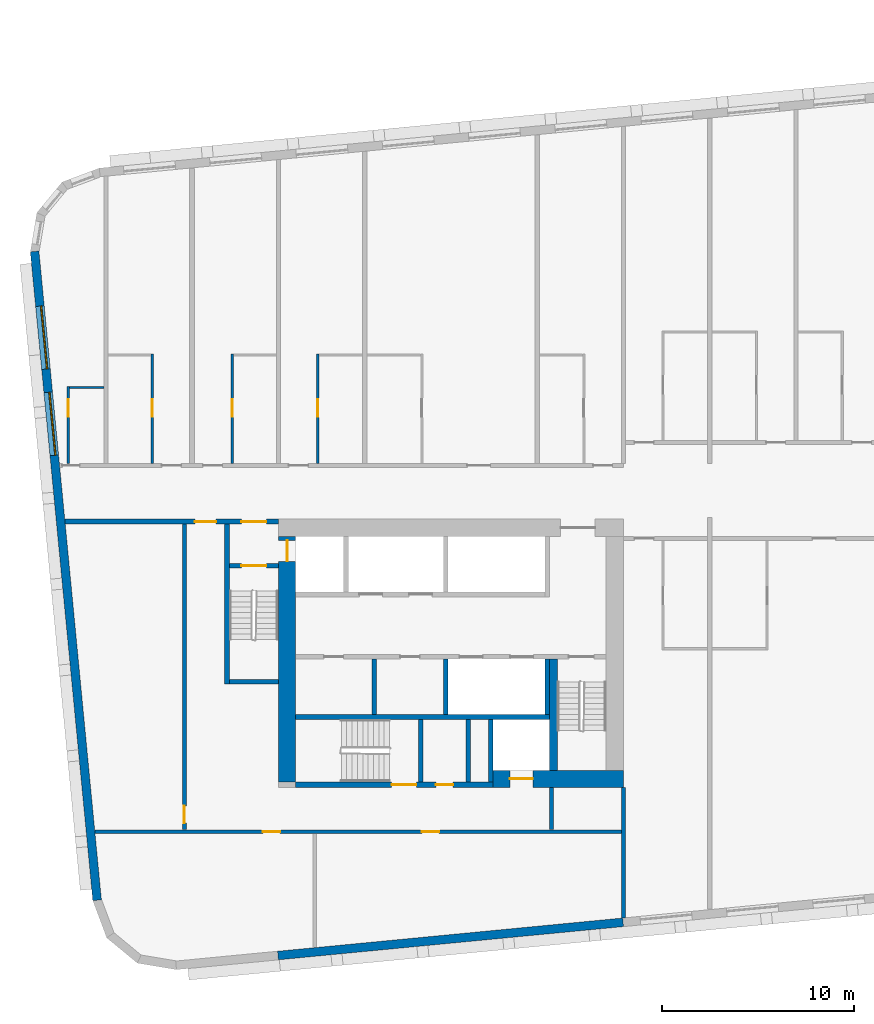
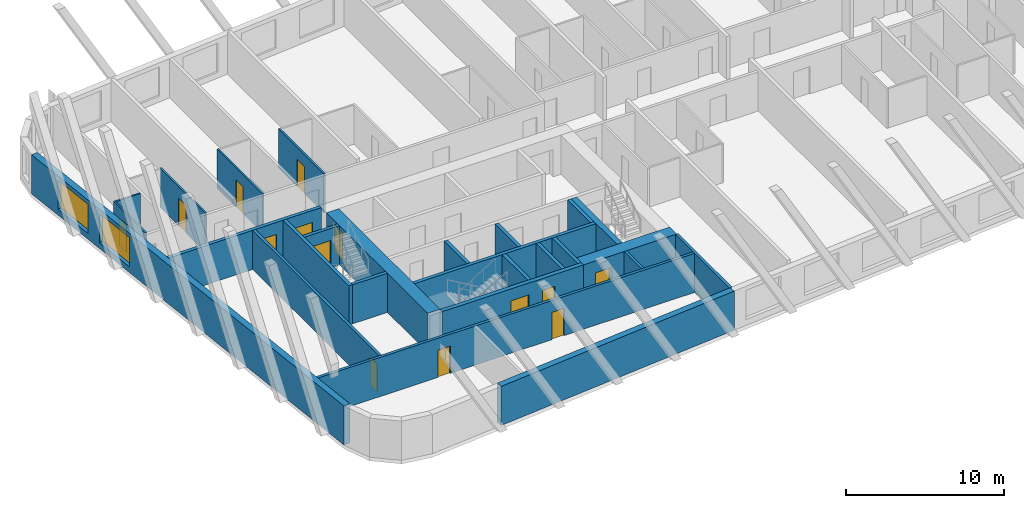
# One storey, part 2 of 13: 26 walls, 14 doors, 2 windows, 16 openings.
"""IFC4 building model written with IfcOpenShell, lengths in metres."""

import ifcopenshell
import ifcopenshell.guid

model = None  # the IFC model being written
_history = None  # IfcOwnerHistory: only IFC2X3 demands one
_inside = {}  # id of a spatial element -> (the spatial element, [elements in it])
_under = {}  # id of a project, library or spatial element -> (it, [spatial elements below it])
_declared = {}  # id of a project -> (the project, [libraries it declares])
_typed = {}  # id of a type object -> (the type object, [elements of that type])
_made_of = {}  # id of a material, layer set ... -> (it, [elements and type objects made of it])


def new_model(schema):
    """Start an empty IFC model of exactly this schema.

    Asked for "IFC4X3", IfcOpenShell would pick the latest addendum, in which some entities
    have other attributes; the version numbers below select the first issue.
    IFC2X3 requires an IfcOwnerHistory on every rooted entity: one is made here for all.
    """
    global model, _history
    if schema == "IFC4X3":
        model = ifcopenshell.file(schema_version=(4, 3, 0, 0))
    else:
        model = ifcopenshell.file(schema=schema)
    _inside.clear()
    _under.clear()
    _declared.clear()
    _typed.clear()
    _made_of.clear()
    _history = None
    if model.schema == "IFC2X3":
        org = make("IfcOrganization", Name="unknown")
        user = make(
            "IfcPersonAndOrganization",
            ThePerson=make("IfcPerson", FamilyName="unknown"),
            TheOrganization=org,
        )
        app = make(
            "IfcApplication",
            ApplicationDeveloper=org,
            Version="unknown",
            ApplicationFullName="unknown",
            ApplicationIdentifier="unknown",
        )
        _history = make(
            "IfcOwnerHistory",
            OwningUser=user,
            OwningApplication=app,
            ChangeAction="ADDED",
            CreationDate=0,
        )
    return model


def make(cls, **values):
    """One entity of the class cls with the attributes given. An attribute that is None is left unset."""
    return model.create_entity(
        cls, **{name: value for name, value in values.items() if value is not None}
    )


def rooted(cls, **values):
    """An entity with a GlobalId (a new one), such as an element, a storey or a relation."""
    return make(cls, GlobalId=ifcopenshell.guid.new(), OwnerHistory=_history, **values)


def si_unit(unit_type, name, prefix=None):
    """IfcSIUnit, for example si_unit("LENGTHUNIT", "METRE", prefix="MILLI")."""
    return make("IfcSIUnit", UnitType=unit_type, Prefix=prefix, Name=name)


def assignment(units):
    """IfcUnitAssignment: the units of a project."""
    return None if units is None else make("IfcUnitAssignment", Units=units)


def point(xyz):
    """IfcCartesianPoint."""
    return None if xyz is None else make("IfcCartesianPoint", Coordinates=xyz)


def direction(xyz):
    """IfcDirection."""
    return None if xyz is None else make("IfcDirection", DirectionRatios=xyz)


def frame(location, z_axis=None, x_axis=None):
    """IfcAxis2Placement3D, a coordinate frame: its origin and axes. An axis left out is left unset."""
    return make(
        "IfcAxis2Placement3D",
        Location=point(location),
        Axis=direction(z_axis),
        RefDirection=direction(x_axis),
    )


def frame_2d(location, x_axis=None):
    """IfcAxis2Placement2D, a coordinate frame in the plane: its origin and x axis."""
    return make(
        "IfcAxis2Placement2D", Location=point(location), RefDirection=direction(x_axis)
    )


def origin():
    """The frame at (0, 0, 0) with its axes left unset."""
    return frame((0.0, 0.0, 0.0))


def place(relative_to, where):
    """IfcLocalPlacement: puts the frame where relative to a parent placement (None: the world)."""
    return make(
        "IfcLocalPlacement", PlacementRelTo=relative_to, RelativePlacement=where
    )


def context(
    kind, dimensions, precision=None, world=None, true_north=None, identifier=None
):
    """IfcGeometricRepresentationContext, for example the 3D "Model" context."""
    return make(
        "IfcGeometricRepresentationContext",
        ContextIdentifier=identifier,
        ContextType=kind,
        CoordinateSpaceDimension=dimensions,
        Precision=precision,
        WorldCoordinateSystem=world,
        TrueNorth=true_north,
    )


def subcontext(parent, identifier, kind, view, scale=None):
    """IfcGeometricRepresentationSubContext, for example "Body" below "Model"."""
    return make(
        "IfcGeometricRepresentationSubContext",
        ContextIdentifier=identifier,
        ContextType=kind,
        ParentContext=parent,
        TargetScale=scale,
        TargetView=view,
    )


def project(units=None, contexts=None):
    """IfcProject with its units and contexts."""
    return rooted(
        "IfcProject",
        Name="project",
        RepresentationContexts=contexts,
        UnitsInContext=assignment(units),
    )


def spatial(cls, under=None, at=None, **own):
    """A site, building, storey or space (cls), placed at a placement, below another one or the project."""
    s = rooted(cls, ObjectPlacement=at, **own)
    if under is not None:
        _under.setdefault(under.id(), (under, []))[1].append(s)
    return s


def profile(cls, at=None, kind="AREA", **sizes):
    """A parametric profile (cls). Its sizes go by their IFC names, for example OverallWidth=200.0."""
    return make(cls, ProfileType=kind, Position=at, **sizes)


def rectangle(**sizes):
    """IfcRectangleProfileDef."""
    return profile("IfcRectangleProfileDef", **sizes)


def extrude(swept, where, along, depth):
    """IfcExtrudedAreaSolid: the profile swept, set in the frame where, extruded along a direction by depth."""
    return make(
        "IfcExtrudedAreaSolid",
        SweptArea=swept,
        Position=where,
        ExtrudedDirection=direction(along),
        Depth=depth,
    )


def shape(context_of_items, identifier, shape_type, items):
    """IfcShapeRepresentation: the items that make up one representation, for example the "Body"."""
    return make(
        "IfcShapeRepresentation",
        ContextOfItems=context_of_items,
        RepresentationIdentifier=identifier,
        RepresentationType=shape_type,
        Items=items,
    )


def material(Name=None, Category=None):
    """IfcMaterial."""
    return make("IfcMaterial", Name=Name, Category=Category)


def layer(
    of_material, thickness, ventilated=None, Name=None, Category=None, Priority=None
):
    """IfcMaterialLayer: one layer of a wall or slab, of a material (None: an air gap)."""
    return make(
        "IfcMaterialLayer",
        Material=of_material,
        LayerThickness=thickness,
        IsVentilated=ventilated,
        Name=Name,
        Category=Category,
        Priority=Priority,
    )


def layer_set(layers, Name=None):
    """IfcMaterialLayerSet."""
    return make("IfcMaterialLayerSet", MaterialLayers=layers, LayerSetName=Name)


def made_of(thing, what):
    """Note that an element or type object is made of a material, layer set ...; save() writes the relation."""
    if what is not None:
        _made_of.setdefault(what.id(), (what, []))[1].append(thing)
    return thing


def type_object(cls, material=None, **own):
    """A type object (cls), such as IfcWallType, which elements share."""
    return made_of(rooted(cls, **own), material)


def element(
    cls,
    number,
    at=None,
    inside=None,
    cuts=None,
    type_object=None,
    material=None,
    context=None,
    identifier="Body",
    shape_type=None,
    held_by="IfcProductDefinitionShape",
    body=None,
    shapes=None,
    **own,
):
    """One element of the class cls, such as IfcWall. Its Tag is "e" and its number.

    at: its placement. inside: the storey or other place that contains it. cuts: it is an
    opening in that element (IfcRelVoidsElement). A single representation is given by context,
    identifier, shape_type and body (its items); several are given by shapes. held_by: the class
    of the entity that holds the representations. save() writes the other relations.
    """
    e = rooted(cls, Tag="e%d" % number, ObjectPlacement=at, **own)
    if body is not None:
        shapes = [shape(context, identifier, shape_type, body)]
    if shapes is not None:
        e.Representation = make(held_by, Representations=shapes)
    if inside is not None:
        _inside.setdefault(inside.id(), (inside, []))[1].append(e)
    if cuts is not None:
        rooted(
            "IfcRelVoidsElement", RelatingBuildingElement=cuts, RelatedOpeningElement=e
        )
    if type_object is not None:
        _typed.setdefault(type_object.id(), (type_object, []))[1].append(e)
    return made_of(e, material)


def fill(opening, filler):
    """IfcRelFillsElement: the door or window that sits in an opening."""
    return rooted(
        "IfcRelFillsElement",
        RelatingOpeningElement=opening,
        RelatedBuildingElement=filler,
    )


def aggregate(whole, parts):
    """IfcRelAggregates: a whole, such as a stair, and the parts it consists of."""
    return rooted("IfcRelAggregates", RelatingObject=whole, RelatedObjects=parts)


def save(model, path):
    """Write the relations noted so far, then the file.

    IfcRelAggregates (storeys below a building ...), IfcRelContainedInSpatialStructure (elements
    in a storey), IfcRelDefinesByType, IfcRelAssociatesMaterial and IfcRelDeclares: one each for
    every whole, place, type object, material and project.
    """
    for whole, parts in _under.values():
        aggregate(whole, parts)
    for where, things in _inside.values():
        rooted(
            "IfcRelContainedInSpatialStructure",
            RelatedElements=things,
            RelatingStructure=where,
        )
    for kind, things in _typed.values():
        rooted("IfcRelDefinesByType", RelatedObjects=things, RelatingType=kind)
    for what, things in _made_of.values():
        rooted("IfcRelAssociatesMaterial", RelatedObjects=things, RelatingMaterial=what)
    for by, libraries in _declared.values():
        rooted("IfcRelDeclares", RelatingContext=by, RelatedDefinitions=libraries)
    model.write(path)


model = new_model("IFC4")

# Units and contexts
model_context = context("Model", 3, precision=1e-05, world=origin(), true_north=direction((0.0, 1.0)))
body_context = subcontext(model_context, "Body", "Model", "MODEL_VIEW")
ifc_project = project(units=[si_unit("LENGTHUNIT", "METRE"), si_unit("AREAUNIT", "SQUARE_METRE"), si_unit("VOLUMEUNIT", "CUBIC_METRE"), si_unit("PLANEANGLEUNIT", "RADIAN"), si_unit("MASSUNIT", "GRAM", prefix="KILO")], contexts=[model_context])

# Site, building, storey
site_placement = place(None, origin())
site = spatial("IfcSite", under=ifc_project, at=site_placement, CompositionType="ELEMENT")
building_placement = place(site_placement, origin())
building = spatial("IfcBuilding", under=site, at=building_placement, Name="Kajstack Hotel Tower", CompositionType="ELEMENT")
storey_placement = place(building_placement, frame((0.0, 0.0, 166.89990234375)))
storey = spatial("IfcBuildingStorey", under=building, at=storey_placement, Name="L38", CompositionType="ELEMENT", Elevation=166.89990234375)

# Wall, opening, door
ifc_material_1 = material(Name="Concrete C60/75", Category="concrete")
ifc_layer_1 = layer(ifc_material_1, 0.89990234375)
ifc_layer_set_1 = layer_set([ifc_layer_1], Name="Core wall 900")
wall_type_1 = type_object("IfcWallType", Name="Core wall 900", PredefinedType="SHEAR", material=ifc_layer_set_1)
wall_1_placement = place(storey_placement, frame((-20.300048828125, -15.050048828125, 0.0), z_axis=(0.0, 0.0, 1.0), x_axis=(1.0, 0.0, 0.0)))
wall_1 = element("IfcWall", 1, at=wall_1_placement, inside=storey, type_object=wall_type_1, Name="Core wall W RS", PredefinedType="SHEAR", context=body_context, shape_type="SweptSolid", body=[
    extrude(rectangle(XDim=6.800048828125, YDim=0.89990234375, at=frame_2d((3.39990234375, 0.0))), origin(), (0.0, 0.0, 1.0), 3.02001953125),
])
opening_1_placement = place(wall_1_placement, frame((0.875, 0.0, 0.0)))
opening_1 = element("IfcOpeningElement", 2, at=opening_1_placement, cuts=wall_1, Name="Opening LD-SV1", PredefinedType="OPENING", context=body_context, shape_type="SweptSolid", body=[
    extrude(rectangle(XDim=1.199951171875, YDim=2.10009765625, at=frame_2d((0.60009765625, 1.050048828125))), frame((0.0, 0.4599609375, 0.0), z_axis=(0.0, -1.0, 0.0), x_axis=(1.0, 0.0, 0.0)), (0.0, 0.0, 1.0), 0.919921875),
])
ifc_material_2 = material(Name="Stainless steel", Category="steel")
door_type_1 = type_object("IfcDoorType", Name="Lift landing door 1200", OperationType="SLIDING_TO_LEFT", PredefinedType="DOOR", material=ifc_material_2)
door_1_placement = place(opening_1_placement, origin())
door_1 = element("IfcDoor", 3, at=door_1_placement, inside=storey, type_object=door_type_1, Name="Landing door SV1", OperationType="SLIDING_TO_LEFT", OverallHeight=2.10009765625, OverallWidth=1.199951171875, PredefinedType="DOOR", context=body_context, shape_type="SweptSolid", body=[
    extrude(rectangle(XDim=1.199951171875, YDim=2.10009765625, at=frame_2d((0.60009765625, 1.050048828125))), frame((0.0, 0.02490234375, 0.0), z_axis=(0.0, -1.0, 0.0), x_axis=(1.0, 0.0, 0.0)), (0.0, 0.0, 1.0), 0.050048828125),
])
fill(opening_1, door_1)

wall_2_placement = place(storey_placement, frame((-31.050048828125, -15.199951171875, 0.0), z_axis=(0.0, 0.0, 1.0), x_axis=(0.0, 1.0, 0.0)))
wall_2 = element("IfcWall", 4, at=wall_2_placement, inside=storey, type_object=wall_type_1, Name="Core wall W RW", PredefinedType="SHEAR", context=body_context, shape_type="SweptSolid", body=[
    extrude(rectangle(XDim=12.800048828125, YDim=0.89990234375, at=frame_2d((6.39990234375, 0.0))), origin(), (0.0, 0.0, 1.0), 3.02001953125),
])
opening_2_placement = place(wall_2_placement, frame((11.5, 0.0, 0.0)))
opening_2 = element("IfcOpeningElement", 5, at=opening_2_placement, cuts=wall_2, Name="Opening LD-FF1", PredefinedType="OPENING", context=body_context, shape_type="SweptSolid", body=[
    extrude(rectangle(XDim=1.10009765625, YDim=2.10009765625, at=frame_2d((0.550048828125, 1.050048828125))), frame((0.0, 0.4599609375, 0.0), z_axis=(0.0, -1.0, 0.0), x_axis=(1.0, 0.0, 0.0)), (0.0, 0.0, 1.0), 0.919921875),
])
door_type_2 = type_object("IfcDoorType", Name="Fire-fighting lift landing door 1100", OperationType="SLIDING_TO_LEFT", PredefinedType="DOOR", material=ifc_material_2)
door_2_placement = place(opening_2_placement, origin())
door_2 = element("IfcDoor", 6, at=door_2_placement, inside=storey, type_object=door_type_2, Name="Landing door FF1", OperationType="SLIDING_TO_RIGHT", OverallHeight=2.10009765625, OverallWidth=1.10009765625, PredefinedType="DOOR", context=body_context, shape_type="SweptSolid", body=[
    extrude(rectangle(XDim=1.10009765625, YDim=2.10009765625, at=frame_2d((0.550048828125, 1.050048828125))), frame((0.0, 0.02490234375, 0.0), z_axis=(0.0, -1.0, 0.0), x_axis=(1.0, 0.0, 0.0)), (0.0, 0.0, 1.0), 0.050048828125),
])
fill(opening_2, door_2)

# Walls
ifc_material_3 = material(Name="Twin-frame gypsum board on steel studs, mineral wool", Category="steel")
ifc_layer_2 = layer(ifc_material_3, 0.199951171875)
ifc_layer_set_2 = layer_set([ifc_layer_2], Name="Demising wall 200")
wall_type_2 = type_object("IfcWallType", Name="Demising wall 200", PredefinedType="PARTITIONING", material=ifc_layer_set_2)
wall_3_placement = place(storey_placement, frame((-13.5, -22.300048828125, 0.0), z_axis=(0.0, 0.0, 1.0), x_axis=(0.0, 1.0, 0.0)))
element("IfcWall", 7, at=wall_3_placement, inside=storey, type_object=wall_type_2, Name="G-wall-L38-002", PredefinedType="PARTITIONING", context=body_context, shape_type="SweptSolid", body=[
    extrude(rectangle(XDim=6.800048828125, YDim=0.199951171875, at=frame_2d((3.39990234375, 0.0))), origin(), (0.0, 0.0, 1.0), 3.02001953125),
])
ifc_material_4 = material(Name="Concrete C40/50", Category="concrete")
ifc_layer_3 = layer(ifc_material_4, 0.449951171875)
ifc_layer_set_3 = layer_set([ifc_layer_3], Name="EW-CORE")
wall_type_3 = type_object("IfcWallType", Name="EW-CORE", PredefinedType="SOLIDWALL", material=ifc_layer_set_3)
wall_4_placement = place(storey_placement, frame((-31.521484375, -24.26171875, 0.0), z_axis=(0.0, 0.0, 1.0), x_axis=(0.995396454615, 0.095843091245, 0.0)))
element("IfcWall", 8, at=wall_4_placement, inside=storey, type_object=wall_type_3, Name="E-wall-L38-04-01", PredefinedType="SOLIDWALL", context=body_context, shape_type="SweptSolid", body=[
    extrude(rectangle(XDim=18.083251953125, YDim=0.449951171875, at=frame_2d((9.04150390625, 0.0))), origin(), (0.0, 0.0, 1.0), 3.02001953125),
])

# Wall, openings, windows
ifc_material_5 = material(Name="Terracotta-faced brick masonry", Category="masonry")
ifc_layer_4 = layer(ifc_material_5, 0.449951171875)
ifc_layer_set_4 = layer_set([ifc_layer_4], Name="EW-TERRA")
wall_type_4 = type_object("IfcWallType", Name="EW-TERRA", PredefinedType="SOLIDWALL", material=ifc_layer_set_4)
wall_5_placement = place(storey_placement, frame((-44.21435546875, 12.465576171875, 0.0), z_axis=(0.0, 0.0, 1.0), x_axis=(0.095847314626, -0.995396047952, 0.0)))
wall_5 = element("IfcWall", 9, at=wall_5_placement, inside=storey, type_object=wall_type_4, Name="E-wall-L38-00-00", PredefinedType="SOLIDWALL", context=body_context, shape_type="SweptSolid", body=[
    extrude(rectangle(XDim=33.999755859375, YDim=0.449951171875, at=frame_2d((17.0, 0.0))), origin(), (0.0, 0.0, 1.0), 3.02001953125),
])
opening_3_placement = place(wall_5_placement, frame((2.864990234375, 0.0, 0.449951171875)))
opening_3 = element("IfcOpeningElement", 10, at=opening_3_placement, cuts=wall_5, Name="Opening W2", PredefinedType="OPENING", context=body_context, shape_type="SweptSolid", body=[
    extrude(rectangle(XDim=3.300048828125, YDim=2.25, at=frame_2d((1.64990234375, 1.125))), frame((0.0, 0.23486328125, 0.0), z_axis=(0.0, -1.0, 0.0), x_axis=(1.0, 0.0, 0.0)), (0.0, 0.0, 1.0), 0.469970703125),
])
opening_4_placement = place(wall_5_placement, frame((7.3857421875, 0.0, 0.449951171875)))
opening_4 = element("IfcOpeningElement", 11, at=opening_4_placement, cuts=wall_5, Name="Opening W2", PredefinedType="OPENING", context=body_context, shape_type="SweptSolid", body=[
    extrude(rectangle(XDim=3.300048828125, YDim=2.25, at=frame_2d((1.64990234375, 1.125))), frame((0.0, 0.23486328125, 0.0), z_axis=(0.0, -1.0, 0.0), x_axis=(1.0, 0.0, 0.0)), (0.0, 0.0, 1.0), 0.469970703125),
])
ifc_material_6 = material(Name="Timber-aluminium window, triple glazed", Category="wood")
window_type = type_object("IfcWindowType", Name="WG2", PartitioningType="SINGLE_PANEL", PredefinedType="WINDOW", material=ifc_material_6)
window_1_placement = place(opening_3_placement, origin())
window_1 = element("IfcWindow", 12, at=window_1_placement, inside=storey, type_object=window_type, Name="Window W2 L38-00", OverallHeight=2.25, OverallWidth=3.300048828125, PartitioningType="SINGLE_PANEL", PredefinedType="WINDOW", context=body_context, shape_type="SweptSolid", body=[
    extrude(rectangle(XDim=3.300048828125, YDim=2.25, at=frame_2d((1.64990234375, 1.125))), frame((0.0, 0.090087890625, 0.0), z_axis=(0.0, -1.0, 0.0), x_axis=(1.0, 0.0, 0.0)), (0.0, 0.0, 1.0), 0.06005859375),
])
fill(opening_3, window_1)
window_2_placement = place(opening_4_placement, origin())
window_2 = element("IfcWindow", 13, at=window_2_placement, inside=storey, type_object=window_type, Name="Window W2 L38-00", OverallHeight=2.25, OverallWidth=3.300048828125, PartitioningType="SINGLE_PANEL", PredefinedType="WINDOW", context=body_context, shape_type="SweptSolid", body=[
    extrude(rectangle(XDim=3.300048828125, YDim=2.25, at=frame_2d((1.64990234375, 1.125))), frame((0.0, 0.090087890625, 0.0), z_axis=(0.0, -1.0, 0.0), x_axis=(1.0, 0.0, 0.0)), (0.0, 0.0, 1.0), 0.06005859375),
])
fill(opening_4, window_2)

# Wall, opening, door
ifc_material_7 = material(Name="Gypsum board and tiled backer on steel studs", Category="steel")
ifc_layer_5 = layer(ifc_material_7, 0.125)
ifc_layer_set_5 = layer_set([ifc_layer_5], Name="En-suite wall 125")
wall_type_5 = type_object("IfcWallType", Name="En-suite wall 125", PredefinedType="PARTITIONING", material=ifc_layer_set_5)
wall_6_placement = place(storey_placement, frame((-42.4619140625, 1.39990234375, 0.0), z_axis=(0.0, 0.0, 1.0), x_axis=(0.0, 1.0, 0.0)))
wall_6 = element("IfcWall", 14, at=wall_6_placement, inside=storey, type_object=wall_type_5, Name="G-wall-L38-006", PredefinedType="PARTITIONING", context=body_context, shape_type="SweptSolid", body=[
    extrude(rectangle(XDim=4.028076171875, YDim=0.125, at=frame_2d((2.01416015625, 0.0))), origin(), (0.0, 0.0, 1.0), 3.02001953125),
])
opening_5_placement = place(wall_6_placement, frame((2.449951171875, 0.0, 0.0)))
opening_5 = element("IfcOpeningElement", 15, at=opening_5_placement, cuts=wall_6, Name="Opening 38002", PredefinedType="OPENING", context=body_context, shape_type="SweptSolid", body=[
    extrude(rectangle(XDim=0.89990234375, YDim=2.10009765625, at=frame_2d((0.449951171875, 1.050048828125))), frame((0.0, 0.072509765625, 0.0), z_axis=(0.0, -1.0, 0.0), x_axis=(1.0, 0.0, 0.0)), (0.0, 0.0, 1.0), 0.14501953125),
])
ifc_material_8 = material(Name="Painted timber door leaf", Category="wood")
door_type_3 = type_object("IfcDoorType", Name="Room door 900", OperationType="SINGLE_SWING_LEFT", PredefinedType="DOOR", material=ifc_material_8)
door_3_placement = place(opening_5_placement, origin())
door_3 = element("IfcDoor", 16, at=door_3_placement, inside=storey, type_object=door_type_3, Name="G-door-L38-02", OperationType="SINGLE_SWING_LEFT", OverallHeight=2.10009765625, OverallWidth=0.89990234375, PredefinedType="DOOR", context=body_context, shape_type="SweptSolid", body=[
    extrude(rectangle(XDim=0.89990234375, YDim=2.10009765625, at=frame_2d((0.449951171875, 1.050048828125))), frame((0.0, 0.02490234375, 0.0), z_axis=(0.0, -1.0, 0.0), x_axis=(1.0, 0.0, 0.0)), (0.0, 0.0, 1.0), 0.050048828125),
])
fill(opening_5, door_3)

# Wall
wall_7_placement = place(storey_placement, frame((-42.39990234375, 5.365966796875, 0.0), z_axis=(0.0, 0.0, 1.0), x_axis=(1.0, 0.0, 0.0)))
element("IfcWall", 17, at=wall_7_placement, inside=storey, type_object=wall_type_5, Name="G-wall-L38-007", PredefinedType="PARTITIONING", context=body_context, shape_type="SweptSolid", body=[
    extrude(rectangle(XDim=1.7998046875, YDim=0.125, at=frame_2d((0.89990234375, 0.0))), origin(), (0.0, 0.0, 1.0), 3.02001953125),
])

# Wall, opening, door
wall_8_placement = place(storey_placement, frame((-38.0869140625, 1.39990234375, 0.0), z_axis=(0.0, 0.0, 1.0), x_axis=(0.0, 1.0, 0.0)))
wall_8 = element("IfcWall", 18, at=wall_8_placement, inside=storey, type_object=wall_type_5, Name="G-wall-L38-008", PredefinedType="PARTITIONING", context=body_context, shape_type="SweptSolid", body=[
    extrude(rectangle(XDim=5.72509765625, YDim=0.125, at=frame_2d((2.862548828125, 0.0))), origin(), (0.0, 0.0, 1.0), 3.02001953125),
])
opening_6_placement = place(wall_8_placement, frame((2.449951171875, 0.0, 0.0)))
opening_6 = element("IfcOpeningElement", 19, at=opening_6_placement, cuts=wall_8, Name="Opening 38004", PredefinedType="OPENING", context=body_context, shape_type="SweptSolid", body=[
    extrude(rectangle(XDim=0.89990234375, YDim=2.10009765625, at=frame_2d((0.449951171875, 1.050048828125))), frame((0.0, 0.072509765625, 0.0), z_axis=(0.0, -1.0, 0.0), x_axis=(1.0, 0.0, 0.0)), (0.0, 0.0, 1.0), 0.14501953125),
])
door_4_placement = place(opening_6_placement, origin())
door_4 = element("IfcDoor", 20, at=door_4_placement, inside=storey, type_object=door_type_3, Name="G-door-L38-04", OperationType="SINGLE_SWING_LEFT", OverallHeight=2.10009765625, OverallWidth=0.89990234375, PredefinedType="DOOR", context=body_context, shape_type="SweptSolid", body=[
    extrude(rectangle(XDim=0.89990234375, YDim=2.10009765625, at=frame_2d((0.449951171875, 1.050048828125))), frame((0.0, 0.02490234375, 0.0), z_axis=(0.0, -1.0, 0.0), x_axis=(1.0, 0.0, 0.0)), (0.0, 0.0, 1.0), 0.050048828125),
])
fill(opening_6, door_4)

wall_9_placement = place(storey_placement, frame((-33.9130859375, 1.39990234375, 0.0), z_axis=(0.0, 0.0, 1.0), x_axis=(0.0, 1.0, 0.0)))
wall_9 = element("IfcWall", 21, at=wall_9_placement, inside=storey, type_object=wall_type_5, Name="G-wall-L38-011", PredefinedType="PARTITIONING", context=body_context, shape_type="SweptSolid", body=[
    extrude(rectangle(XDim=5.72509765625, YDim=0.125, at=frame_2d((2.862548828125, 0.0))), origin(), (0.0, 0.0, 1.0), 3.02001953125),
])
opening_7_placement = place(wall_9_placement, frame((2.449951171875, 0.0, 0.0)))
opening_7 = element("IfcOpeningElement", 22, at=opening_7_placement, cuts=wall_9, Name="Opening 38006", PredefinedType="OPENING", context=body_context, shape_type="SweptSolid", body=[
    extrude(rectangle(XDim=0.89990234375, YDim=2.10009765625, at=frame_2d((0.449951171875, 1.050048828125))), frame((0.0, 0.072509765625, 0.0), z_axis=(0.0, -1.0, 0.0), x_axis=(1.0, 0.0, 0.0)), (0.0, 0.0, 1.0), 0.14501953125),
])
door_5_placement = place(opening_7_placement, origin())
door_5 = element("IfcDoor", 23, at=door_5_placement, inside=storey, type_object=door_type_3, Name="G-door-L38-06", OperationType="SINGLE_SWING_RIGHT", OverallHeight=2.10009765625, OverallWidth=0.89990234375, PredefinedType="DOOR", context=body_context, shape_type="SweptSolid", body=[
    extrude(rectangle(XDim=0.89990234375, YDim=2.10009765625, at=frame_2d((0.449951171875, 1.050048828125))), frame((0.0, 0.02490234375, 0.0), z_axis=(0.0, -1.0, 0.0), x_axis=(1.0, 0.0, 0.0)), (0.0, 0.0, 1.0), 0.050048828125),
])
fill(opening_7, door_5)

wall_10_placement = place(storey_placement, frame((-29.43798828125, 1.39990234375, 0.0), z_axis=(0.0, 0.0, 1.0), x_axis=(0.0, 1.0, 0.0)))
wall_10 = element("IfcWall", 24, at=wall_10_placement, inside=storey, type_object=wall_type_5, Name="G-wall-L38-013", PredefinedType="PARTITIONING", context=body_context, shape_type="SweptSolid", body=[
    extrude(rectangle(XDim=5.72509765625, YDim=0.125, at=frame_2d((2.862548828125, 0.0))), origin(), (0.0, 0.0, 1.0), 3.02001953125),
])
opening_8_placement = place(wall_10_placement, frame((2.449951171875, 0.0, 0.0)))
opening_8 = element("IfcOpeningElement", 25, at=opening_8_placement, cuts=wall_10, Name="Opening 38008", PredefinedType="OPENING", context=body_context, shape_type="SweptSolid", body=[
    extrude(rectangle(XDim=0.89990234375, YDim=2.10009765625, at=frame_2d((0.449951171875, 1.050048828125))), frame((0.0, 0.072509765625, 0.0), z_axis=(0.0, -1.0, 0.0), x_axis=(1.0, 0.0, 0.0)), (0.0, 0.0, 1.0), 0.14501953125),
])
door_6_placement = place(opening_8_placement, origin())
door_6 = element("IfcDoor", 26, at=door_6_placement, inside=storey, type_object=door_type_3, Name="G-door-L38-08", OperationType="SINGLE_SWING_RIGHT", OverallHeight=2.10009765625, OverallWidth=0.89990234375, PredefinedType="DOOR", context=body_context, shape_type="SweptSolid", body=[
    extrude(rectangle(XDim=0.89990234375, YDim=2.10009765625, at=frame_2d((0.449951171875, 1.050048828125))), frame((0.0, 0.02490234375, 0.0), z_axis=(0.0, -1.0, 0.0), x_axis=(1.0, 0.0, 0.0)), (0.0, 0.0, 1.0), 0.050048828125),
])
fill(opening_8, door_6)

# Walls
ifc_material_9 = material(Name="Concrete C50/60", Category="concrete")
ifc_layer_6 = layer(ifc_material_9, 0.300048828125)
ifc_layer_set_6 = layer_set([ifc_layer_6], Name="Hoistway divider wall 300")
wall_type_6 = type_object("IfcWallType", Name="Hoistway divider wall 300", PredefinedType="SHEAR", material=ifc_layer_set_6)
wall_11_placement = place(storey_placement, frame((-22.77490234375, -11.699951171875, 0.0), z_axis=(0.0, 0.0, 1.0), x_axis=(0.0, 1.0, 0.0)))
element("IfcWall", 27, at=wall_11_placement, inside=storey, type_object=wall_type_6, Name="Core wall W BP2", PredefinedType="SHEAR", context=body_context, shape_type="SweptSolid", body=[
    extrude(rectangle(XDim=2.89990234375, YDim=0.25, at=frame_2d((1.449951171875, 0.0))), origin(), (0.0, 0.0, 1.0), 3.02001953125),
])
ifc_material_10 = material(Name="Concrete block masonry", Category="masonry")
ifc_layer_7 = layer(ifc_material_10, 0.25)
ifc_layer_set_7 = layer_set([ifc_layer_7], Name="Riser partition 250")
wall_type_7 = type_object("IfcWallType", Name="Riser partition 250", PredefinedType="PARTITIONING", material=ifc_layer_set_7)
wall_12_placement = place(storey_placement, frame((-26.5, -11.699951171875, 0.0), z_axis=(0.0, 0.0, 1.0), x_axis=(0.0, 1.0, 0.0)))
element("IfcWall", 28, at=wall_12_placement, inside=storey, type_object=wall_type_7, Name="Partition W BF0", PredefinedType="PARTITIONING", context=body_context, shape_type="SweptSolid", body=[
    extrude(rectangle(XDim=2.89990234375, YDim=0.25, at=frame_2d((1.449951171875, 0.0))), origin(), (0.0, 0.0, 1.0), 3.02001953125),
])
wall_13_placement = place(storey_placement, frame((-21.60009765625, -15.199951171875, 0.0), z_axis=(0.0, 0.0, 1.0), x_axis=(0.0, 1.0, 0.0)))
element("IfcWall", 29, at=wall_13_placement, inside=storey, type_object=wall_type_7, Name="Partition W SZ0", PredefinedType="PARTITIONING", context=body_context, shape_type="SweptSolid", body=[
    extrude(rectangle(XDim=3.25, YDim=0.25, at=frame_2d((1.625, 0.0))), origin(), (0.0, 0.0, 1.0), 3.02001953125),
])

# Wall, openings, doors
ifc_material_11 = material(Name="Gypsum board on steel studs, mineral wool", Category="steel")
ifc_layer_8 = layer(ifc_material_11, 0.199951171875)
ifc_layer_set_8 = layer_set([ifc_layer_8], Name="Service partition 200")
wall_type_8 = type_object("IfcWallType", Name="Service partition 200", PredefinedType="PARTITIONING", material=ifc_layer_set_8)
wall_14_placement = place(storey_placement, frame((-42.631591796875, -1.625, 0.0), z_axis=(0.0, 0.0, 1.0), x_axis=(1.0, 0.0, 0.0)))
wall_14 = element("IfcWall", 30, at=wall_14_placement, inside=storey, type_object=wall_type_8, Name="Partition W SN", PredefinedType="PARTITIONING", context=body_context, shape_type="SweptSolid", body=[
    extrude(rectangle(XDim=11.131591796875, YDim=0.25, at=frame_2d((5.56591796875, 0.0))), origin(), (0.0, 0.0, 1.0), 3.02001953125),
])
opening_9_placement = place(wall_14_placement, frame((9.20654296875, 0.0, 0.0)))
opening_9 = element("IfcOpeningElement", 31, at=opening_9_placement, cuts=wall_14, Name="Opening 38W08", PredefinedType="OPENING", context=body_context, shape_type="SweptSolid", body=[
    extrude(rectangle(XDim=1.300048828125, YDim=2.10009765625, at=frame_2d((0.64990234375, 1.050048828125))), frame((0.0, 0.135009765625, 0.0), z_axis=(0.0, -1.0, 0.0), x_axis=(1.0, 0.0, 0.0)), (0.0, 0.0, 1.0), 0.27001953125),
])
opening_10_placement = place(wall_14_placement, frame((6.781494140625, 0.0, 0.0)))
opening_10 = element("IfcOpeningElement", 32, at=opening_10_placement, cuts=wall_14, Name="Opening 38W10", PredefinedType="OPENING", context=body_context, shape_type="SweptSolid", body=[
    extrude(rectangle(XDim=1.10009765625, YDim=2.10009765625, at=frame_2d((0.550048828125, 1.050048828125))), frame((0.0, 0.135009765625, 0.0), z_axis=(0.0, -1.0, 0.0), x_axis=(1.0, 0.0, 0.0)), (0.0, 0.0, 1.0), 0.27001953125),
])
ifc_material_12 = material(Name="Steel leaf, fire-rated", Category="steel")
door_type_4 = type_object("IfcDoorType", Name="Fire lobby door 1300", OperationType="SINGLE_SWING_LEFT", PredefinedType="DOOR", material=ifc_material_12)
door_7_placement = place(opening_9_placement, origin())
door_7 = element("IfcDoor", 33, at=door_7_placement, inside=storey, type_object=door_type_4, Name="Door 38W08", OperationType="SINGLE_SWING_RIGHT", OverallHeight=2.10009765625, OverallWidth=1.300048828125, PredefinedType="DOOR", context=body_context, shape_type="SweptSolid", body=[
    extrude(rectangle(XDim=1.300048828125, YDim=2.10009765625, at=frame_2d((0.64990234375, 1.050048828125))), frame((0.0, 0.02490234375, 0.0), z_axis=(0.0, -1.0, 0.0), x_axis=(1.0, 0.0, 0.0)), (0.0, 0.0, 1.0), 0.050048828125),
])
fill(opening_9, door_7)
ifc_material_13 = material(Name="Timber leaf, fire-rated", Category="wood")
door_type_5 = type_object("IfcDoorType", Name="Service corridor door 1100", OperationType="SINGLE_SWING_LEFT", PredefinedType="DOOR", material=ifc_material_13)
door_8_placement = place(opening_10_placement, origin())
door_8 = element("IfcDoor", 34, at=door_8_placement, inside=storey, type_object=door_type_5, Name="Door 38W10", OperationType="SINGLE_SWING_RIGHT", OverallHeight=2.10009765625, OverallWidth=1.10009765625, PredefinedType="DOOR", context=body_context, shape_type="SweptSolid", body=[
    extrude(rectangle(XDim=1.10009765625, YDim=2.10009765625, at=frame_2d((0.550048828125, 1.050048828125))), frame((0.0, 0.02490234375, 0.0), z_axis=(0.0, -1.0, 0.0), x_axis=(1.0, 0.0, 0.0)), (0.0, 0.0, 1.0), 0.050048828125),
])
fill(opening_10, door_8)

# Wall
wall_15_placement = place(storey_placement, frame((-17.25, -17.699951171875, 0.0), z_axis=(0.0, 0.0, 1.0), x_axis=(0.0, 1.0, 0.0)))
element("IfcWall", 35, at=wall_15_placement, inside=storey, type_object=wall_type_8, Name="Partition W SCE", PredefinedType="PARTITIONING", context=body_context, shape_type="SweptSolid", body=[
    extrude(rectangle(XDim=2.199951171875, YDim=0.199951171875, at=frame_2d((1.10009765625, 0.0))), origin(), (0.0, 0.0, 1.0), 3.02001953125),
])

# Wall, opening, door
wall_16_placement = place(storey_placement, frame((-36.39990234375, -17.699951171875, 0.0), z_axis=(0.0, 0.0, 1.0), x_axis=(0.0, 1.0, 0.0)))
wall_16 = element("IfcWall", 36, at=wall_16_placement, inside=storey, type_object=wall_type_8, Name="Partition W WRE", PredefinedType="PARTITIONING", context=body_context, shape_type="SweptSolid", body=[
    extrude(rectangle(XDim=15.949951171875, YDim=0.199951171875, at=frame_2d((7.97509765625, 0.0))), origin(), (0.0, 0.0, 1.0), 3.02001953125),
])
opening_11_placement = place(wall_16_placement, frame((0.35009765625, 0.0, 0.0)))
opening_11 = element("IfcOpeningElement", 37, at=opening_11_placement, cuts=wall_16, Name="Opening 38W18", PredefinedType="OPENING", context=body_context, shape_type="SweptSolid", body=[
    extrude(rectangle(XDim=0.89990234375, YDim=2.10009765625, at=frame_2d((0.449951171875, 1.050048828125))), frame((0.0, 0.10986328125, 0.0), z_axis=(0.0, -1.0, 0.0), x_axis=(1.0, 0.0, 0.0)), (0.0, 0.0, 1.0), 0.219970703125),
])
door_type_6 = type_object("IfcDoorType", Name="Service door 900", OperationType="SINGLE_SWING_LEFT", PredefinedType="DOOR", material=ifc_material_13)
door_9_placement = place(opening_11_placement, origin())
door_9 = element("IfcDoor", 38, at=door_9_placement, inside=storey, type_object=door_type_6, Name="Door 38W18", OperationType="SINGLE_SWING_LEFT", OverallHeight=2.10009765625, OverallWidth=0.89990234375, PredefinedType="DOOR", context=body_context, shape_type="SweptSolid", body=[
    extrude(rectangle(XDim=0.89990234375, YDim=2.10009765625, at=frame_2d((0.449951171875, 1.050048828125))), frame((0.0, 0.02490234375, 0.0), z_axis=(0.0, -1.0, 0.0), x_axis=(1.0, 0.0, 0.0)), (0.0, 0.0, 1.0), 0.050048828125),
])
fill(opening_11, door_9)

# Wall, openings, doors
wall_17_placement = place(storey_placement, frame((-41.07421875, -17.800048828125, 0.0), z_axis=(0.0, 0.0, 1.0), x_axis=(1.0, 0.0, 0.0)))
wall_17 = element("IfcWall", 39, at=wall_17_placement, inside=storey, type_object=wall_type_8, Name="Partition W SLN", PredefinedType="PARTITIONING", context=body_context, shape_type="SweptSolid", body=[
    extrude(rectangle(XDim=27.47412109375, YDim=0.199951171875, at=frame_2d((13.737060546875, 0.0))), origin(), (0.0, 0.0, 1.0), 3.02001953125),
])
opening_12_placement = place(wall_17_placement, frame((8.76171875, 0.0, 0.0)))
opening_12 = element("IfcOpeningElement", 40, at=opening_12_placement, cuts=wall_17, Name="Opening 38W16", PredefinedType="OPENING", context=body_context, shape_type="SweptSolid", body=[
    extrude(rectangle(XDim=0.89990234375, YDim=2.10009765625, at=frame_2d((0.449951171875, 1.050048828125))), frame((0.0, 0.10986328125, 0.0), z_axis=(0.0, -1.0, 0.0), x_axis=(1.0, 0.0, 0.0)), (0.0, 0.0, 1.0), 0.219970703125),
])
opening_13_placement = place(wall_17_placement, frame((17.0615234375, 0.0, 0.0)))
opening_13 = element("IfcOpeningElement", 41, at=opening_13_placement, cuts=wall_17, Name="Opening 38W17", PredefinedType="OPENING", context=body_context, shape_type="SweptSolid", body=[
    extrude(rectangle(XDim=0.89990234375, YDim=2.10009765625, at=frame_2d((0.449951171875, 1.050048828125))), frame((0.0, 0.10986328125, 0.0), z_axis=(0.0, -1.0, 0.0), x_axis=(1.0, 0.0, 0.0)), (0.0, 0.0, 1.0), 0.219970703125),
])
door_10_placement = place(opening_12_placement, origin())
door_10 = element("IfcDoor", 42, at=door_10_placement, inside=storey, type_object=door_type_6, Name="Door 38W16", OperationType="SINGLE_SWING_RIGHT", OverallHeight=2.10009765625, OverallWidth=0.89990234375, PredefinedType="DOOR", context=body_context, shape_type="SweptSolid", body=[
    extrude(rectangle(XDim=0.89990234375, YDim=2.10009765625, at=frame_2d((0.449951171875, 1.050048828125))), frame((0.0, 0.02490234375, 0.0), z_axis=(0.0, -1.0, 0.0), x_axis=(1.0, 0.0, 0.0)), (0.0, 0.0, 1.0), 0.050048828125),
])
fill(opening_12, door_10)
door_11_placement = place(opening_13_placement, origin())
door_11 = element("IfcDoor", 43, at=door_11_placement, inside=storey, type_object=door_type_6, Name="Door 38W17", OperationType="SINGLE_SWING_RIGHT", OverallHeight=2.10009765625, OverallWidth=0.89990234375, PredefinedType="DOOR", context=body_context, shape_type="SweptSolid", body=[
    extrude(rectangle(XDim=0.89990234375, YDim=2.10009765625, at=frame_2d((0.449951171875, 1.050048828125))), frame((0.0, 0.02490234375, 0.0), z_axis=(0.0, -1.0, 0.0), x_axis=(1.0, 0.0, 0.0)), (0.0, 0.0, 1.0), 0.050048828125),
])
fill(opening_13, door_11)

ifc_layer_9 = layer(ifc_material_9, 0.25)
ifc_layer_set_9 = layer_set([ifc_layer_9], Name="Shaft wall 250")
wall_type_9 = type_object("IfcWallType", Name="Shaft wall 250", PredefinedType="SHEAR", material=ifc_layer_set_9)
wall_18_placement = place(storey_placement, frame((-30.60009765625, -15.35009765625, 0.0), z_axis=(0.0, 0.0, 1.0), x_axis=(1.0, 0.0, 0.0)))
wall_18 = element("IfcWall", 44, at=wall_18_placement, inside=storey, type_object=wall_type_9, Name="Core wall W RSS", PredefinedType="SHEAR", context=body_context, shape_type="SweptSolid", body=[
    extrude(rectangle(XDim=10.300048828125, YDim=0.300048828125, at=frame_2d((5.14990234375, 0.0))), origin(), (0.0, 0.0, 1.0), 3.02001953125),
])
opening_14_placement = place(wall_18_placement, frame((5.0, 0.0, 0.0)))
opening_14 = element("IfcOpeningElement", 45, at=opening_14_placement, cuts=wall_18, Name="Opening 38W12", PredefinedType="OPENING", context=body_context, shape_type="SweptSolid", body=[
    extrude(rectangle(XDim=1.300048828125, YDim=2.10009765625, at=frame_2d((0.64990234375, 1.050048828125))), frame((0.0, 0.159912109375, 0.0), z_axis=(0.0, -1.0, 0.0), x_axis=(1.0, 0.0, 0.0)), (0.0, 0.0, 1.0), 0.320068359375),
])
opening_15_placement = place(wall_18_placement, frame((7.3125, 0.0, 0.0)))
opening_15 = element("IfcOpeningElement", 46, at=opening_15_placement, cuts=wall_18, Name="Opening 38W13", PredefinedType="OPENING", context=body_context, shape_type="SweptSolid", body=[
    extrude(rectangle(XDim=0.89990234375, YDim=2.10009765625, at=frame_2d((0.449951171875, 1.050048828125))), frame((0.0, 0.159912109375, 0.0), z_axis=(0.0, -1.0, 0.0), x_axis=(1.0, 0.0, 0.0)), (0.0, 0.0, 1.0), 0.320068359375),
])
door_12_placement = place(opening_15_placement, origin())
door_12 = element("IfcDoor", 47, at=door_12_placement, inside=storey, type_object=door_type_6, Name="Door 38W13", OperationType="SINGLE_SWING_LEFT", OverallHeight=2.10009765625, OverallWidth=0.89990234375, PredefinedType="DOOR", context=body_context, shape_type="SweptSolid", body=[
    extrude(rectangle(XDim=0.89990234375, YDim=2.10009765625, at=frame_2d((0.449951171875, 1.050048828125))), frame((0.0, 0.02490234375, 0.0), z_axis=(0.0, -1.0, 0.0), x_axis=(1.0, 0.0, 0.0)), (0.0, 0.0, 1.0), 0.050048828125),
])
fill(opening_15, door_12)
door_type_7 = type_object("IfcDoorType", Name="Stair door 1300", OperationType="SINGLE_SWING_LEFT", PredefinedType="DOOR", material=ifc_material_12)
door_13_placement = place(opening_14_placement, origin())
door_13 = element("IfcDoor", 48, at=door_13_placement, inside=storey, type_object=door_type_7, Name="Door 38W12", OperationType="SINGLE_SWING_RIGHT", OverallHeight=2.10009765625, OverallWidth=1.300048828125, PredefinedType="DOOR", context=body_context, shape_type="SweptSolid", body=[
    extrude(rectangle(XDim=1.300048828125, YDim=2.10009765625, at=frame_2d((0.64990234375, 1.050048828125))), frame((0.0, 0.02490234375, 0.0), z_axis=(0.0, -1.0, 0.0), x_axis=(1.0, 0.0, 0.0)), (0.0, 0.0, 1.0), 0.050048828125),
])
fill(opening_14, door_13)

# Walls
wall_19_placement = place(storey_placement, frame((-30.60009765625, -11.824951171875, 0.0), z_axis=(0.0, 0.0, 1.0), x_axis=(1.0, 0.0, 0.0)))
element("IfcWall", 49, at=wall_19_placement, inside=storey, type_object=wall_type_9, Name="Core wall W RB", PredefinedType="SHEAR", context=body_context, shape_type="SweptSolid", body=[
    extrude(rectangle(XDim=13.25, YDim=0.25, at=frame_2d((6.625, 0.0))), origin(), (0.0, 0.0, 1.0), 3.02001953125),
])
wall_20_placement = place(storey_placement, frame((-17.47509765625, -11.699951171875, 0.0), z_axis=(0.0, 0.0, 1.0), x_axis=(0.0, 1.0, 0.0)))
element("IfcWall", 50, at=wall_20_placement, inside=storey, type_object=wall_type_9, Name="Core wall W BE", PredefinedType="SHEAR", context=body_context, shape_type="SweptSolid", body=[
    extrude(rectangle(XDim=2.89990234375, YDim=0.25, at=frame_2d((1.449951171875, 0.0))), origin(), (0.0, 0.0, 1.0), 3.02001953125),
])
wall_21_placement = place(storey_placement, frame((-20.425048828125, -15.199951171875, 0.0), z_axis=(0.0, 0.0, 1.0), x_axis=(0.0, 1.0, 0.0)))
element("IfcWall", 51, at=wall_21_placement, inside=storey, type_object=wall_type_9, Name="Core wall W SVW", PredefinedType="SHEAR", context=body_context, shape_type="SweptSolid", body=[
    extrude(rectangle(XDim=3.25, YDim=0.25, at=frame_2d((1.625, 0.0))), origin(), (0.0, 0.0, 1.0), 3.02001953125),
])

# Wall, opening, door
ifc_layer_10 = layer(ifc_material_4, 0.25)
ifc_layer_set_10 = layer_set([ifc_layer_10], Name="Stair enclosure wall 250")
wall_type_10 = type_object("IfcWallType", Name="Stair enclosure wall 250", PredefinedType="SHEAR", material=ifc_layer_set_10)
wall_22_placement = place(storey_placement, frame((-34.050048828125, -3.925048828125, 0.0), z_axis=(0.0, 0.0, 1.0), x_axis=(1.0, 0.0, 0.0)))
wall_22 = element("IfcWall", 52, at=wall_22_placement, inside=storey, type_object=wall_type_10, Name="Core wall W W1N", PredefinedType="SHEAR", context=body_context, shape_type="SweptSolid", body=[
    extrude(rectangle(XDim=2.550048828125, YDim=0.25, at=frame_2d((1.27490234375, 0.0))), origin(), (0.0, 0.0, 1.0), 3.02001953125),
])
opening_16_placement = place(wall_22_placement, frame((0.625, 0.0, 0.0)))
opening_16 = element("IfcOpeningElement", 53, at=opening_16_placement, cuts=wall_22, Name="Opening 38W09", PredefinedType="OPENING", context=body_context, shape_type="SweptSolid", body=[
    extrude(rectangle(XDim=1.300048828125, YDim=2.10009765625, at=frame_2d((0.64990234375, 1.050048828125))), frame((0.0, 0.135009765625, 0.0), z_axis=(0.0, -1.0, 0.0), x_axis=(1.0, 0.0, 0.0)), (0.0, 0.0, 1.0), 0.27001953125),
])
door_14_placement = place(opening_16_placement, origin())
door_14 = element("IfcDoor", 54, at=door_14_placement, inside=storey, type_object=door_type_7, Name="Door 38W09", OperationType="SINGLE_SWING_RIGHT", OverallHeight=2.10009765625, OverallWidth=1.300048828125, PredefinedType="DOOR", context=body_context, shape_type="SweptSolid", body=[
    extrude(rectangle(XDim=1.300048828125, YDim=2.10009765625, at=frame_2d((0.64990234375, 1.050048828125))), frame((0.0, 0.02490234375, 0.0), z_axis=(0.0, -1.0, 0.0), x_axis=(1.0, 0.0, 0.0)), (0.0, 0.0, 1.0), 0.050048828125),
])
fill(opening_16, door_14)

# Walls
wall_23_placement = place(storey_placement, frame((-34.175048828125, -10.10009765625, 0.0), z_axis=(0.0, 0.0, 1.0), x_axis=(0.0, 1.0, 0.0)))
element("IfcWall", 55, at=wall_23_placement, inside=storey, type_object=wall_type_10, Name="Core wall W W1W", PredefinedType="SHEAR", context=body_context, shape_type="SweptSolid", body=[
    extrude(rectangle(XDim=8.35009765625, YDim=0.25, at=frame_2d((4.175048828125, 0.0))), origin(), (0.0, 0.0, 1.0), 3.02001953125),
])
wall_24_placement = place(storey_placement, frame((-34.050048828125, -9.97509765625, 0.0), z_axis=(0.0, 0.0, 1.0), x_axis=(1.0, 0.0, 0.0)))
element("IfcWall", 56, at=wall_24_placement, inside=storey, type_object=wall_type_10, Name="Core wall W W1S", PredefinedType="SHEAR", context=body_context, shape_type="SweptSolid", body=[
    extrude(rectangle(XDim=2.550048828125, YDim=0.25, at=frame_2d((1.27490234375, 0.0))), origin(), (0.0, 0.0, 1.0), 3.02001953125),
])
ifc_layer_11 = layer(ifc_material_9, 0.35009765625)
ifc_layer_set_11 = layer_set([ifc_layer_11], Name="Stair enclosure wall 350")
wall_type_11 = type_object("IfcWallType", Name="Stair enclosure wall 350", PredefinedType="SHEAR", material=ifc_layer_set_11)
wall_25_placement = place(storey_placement, frame((-24.074951171875, -15.199951171875, 0.0), z_axis=(0.0, 0.0, 1.0), x_axis=(0.0, 1.0, 0.0)))
element("IfcWall", 57, at=wall_25_placement, inside=storey, type_object=wall_type_11, Name="Core wall W W3E", PredefinedType="SHEAR", context=body_context, shape_type="SweptSolid", body=[
    extrude(rectangle(XDim=3.25, YDim=0.25, at=frame_2d((1.625, 0.0))), origin(), (0.0, 0.0, 1.0), 3.02001953125),
])
ifc_layer_12 = layer(ifc_material_9, 0.39990234375)
ifc_layer_set_12 = layer_set([ifc_layer_12], Name="Stair wall 400")
wall_type_12 = type_object("IfcWallType", Name="Stair wall 400", PredefinedType="SHEAR", material=ifc_layer_set_12)
wall_26_placement = place(storey_placement, frame((-17.14990234375, -14.60009765625, 0.0), z_axis=(0.0, 0.0, 1.0), x_axis=(0.0, 1.0, 0.0)))
element("IfcWall", 58, at=wall_26_placement, inside=storey, type_object=wall_type_12, Name="Core wall W WW2", PredefinedType="SHEAR", context=body_context, shape_type="SweptSolid", body=[
    extrude(rectangle(XDim=5.800048828125, YDim=0.39990234375, at=frame_2d((2.89990234375, 0.0))), origin(), (0.0, 0.0, 1.0), 3.02001953125),
])

save(model, "model.ifc")
